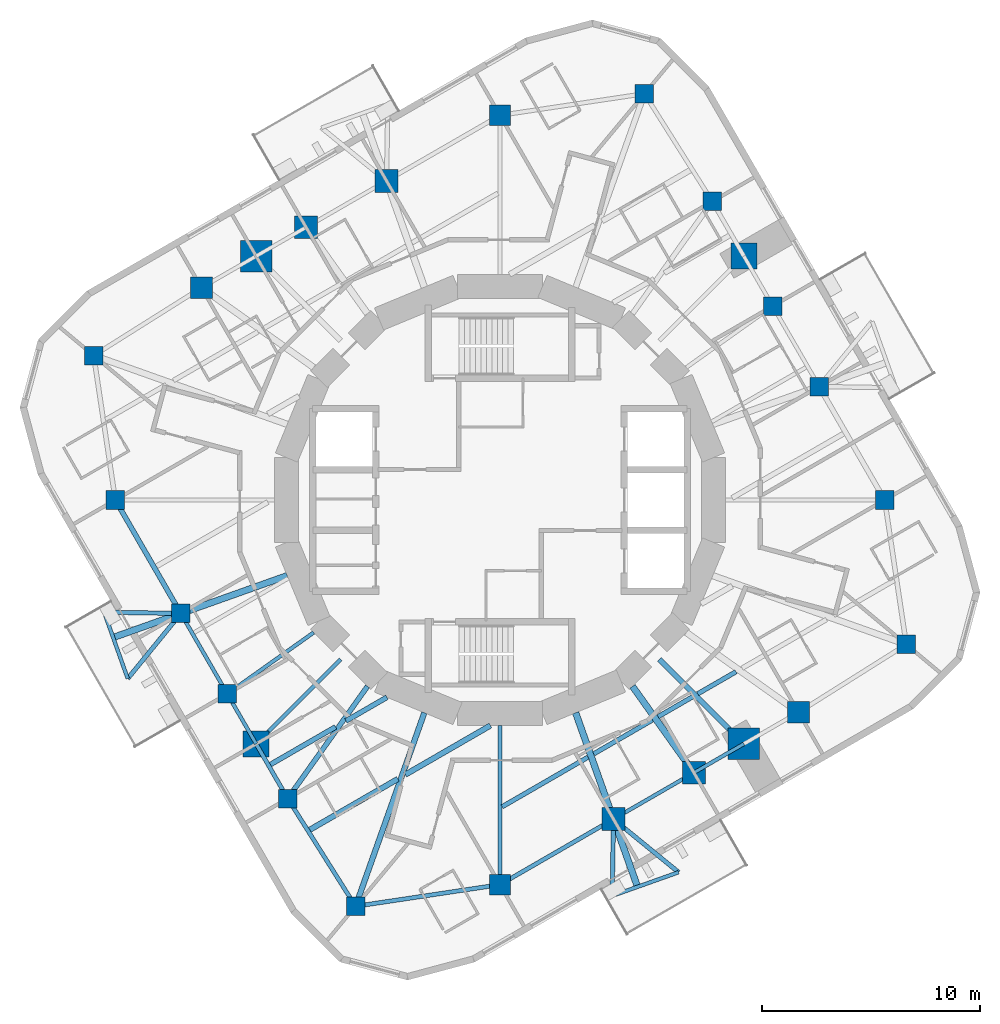
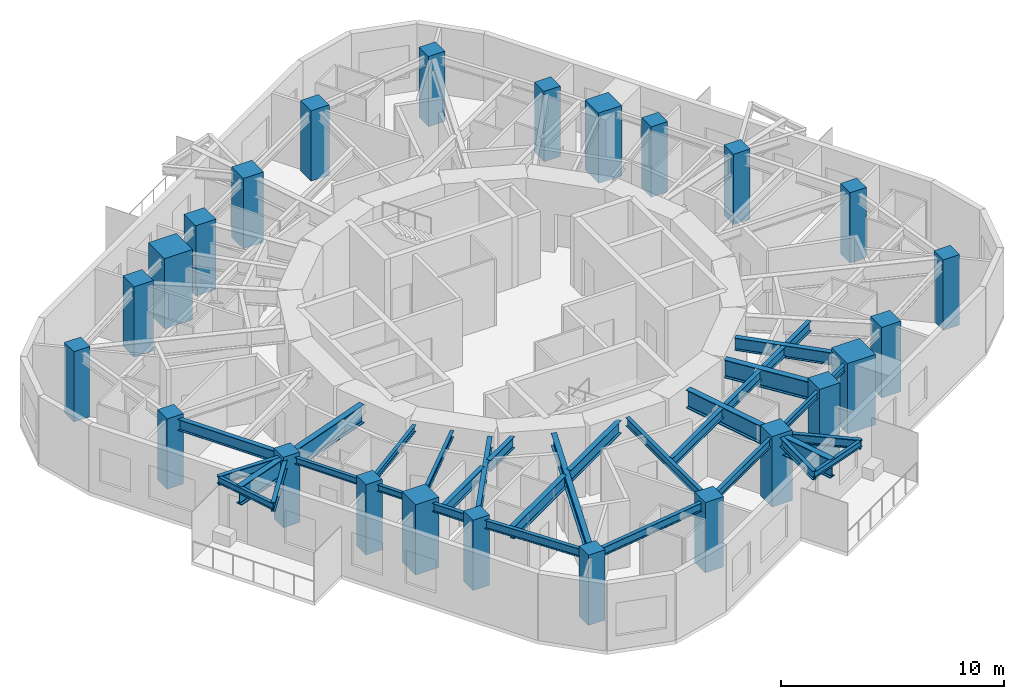
# One storey, part 1 of 11: 32 beams, 24 columns.
"""IFC4 building model written with IfcOpenShell, lengths in metres."""

import ifcopenshell
import ifcopenshell.guid

model = None  # the IFC model being written
_history = None  # IfcOwnerHistory: only IFC2X3 demands one
_inside = {}  # id of a spatial element -> (the spatial element, [elements in it])
_under = {}  # id of a project, library or spatial element -> (it, [spatial elements below it])
_declared = {}  # id of a project -> (the project, [libraries it declares])
_typed = {}  # id of a type object -> (the type object, [elements of that type])
_made_of = {}  # id of a material, layer set ... -> (it, [elements and type objects made of it])


def new_model(schema):
    """Start an empty IFC model of exactly this schema.

    Asked for "IFC4X3", IfcOpenShell would pick the latest addendum, in which some entities
    have other attributes; the version numbers below select the first issue.
    IFC2X3 requires an IfcOwnerHistory on every rooted entity: one is made here for all.
    """
    global model, _history
    if schema == "IFC4X3":
        model = ifcopenshell.file(schema_version=(4, 3, 0, 0))
    else:
        model = ifcopenshell.file(schema=schema)
    _inside.clear()
    _under.clear()
    _declared.clear()
    _typed.clear()
    _made_of.clear()
    _history = None
    if model.schema == "IFC2X3":
        org = make("IfcOrganization", Name="unknown")
        user = make(
            "IfcPersonAndOrganization",
            ThePerson=make("IfcPerson", FamilyName="unknown"),
            TheOrganization=org,
        )
        app = make(
            "IfcApplication",
            ApplicationDeveloper=org,
            Version="unknown",
            ApplicationFullName="unknown",
            ApplicationIdentifier="unknown",
        )
        _history = make(
            "IfcOwnerHistory",
            OwningUser=user,
            OwningApplication=app,
            ChangeAction="ADDED",
            CreationDate=0,
        )
    return model


def make(cls, **values):
    """One entity of the class cls with the attributes given. An attribute that is None is left unset."""
    return model.create_entity(
        cls, **{name: value for name, value in values.items() if value is not None}
    )


def rooted(cls, **values):
    """An entity with a GlobalId (a new one), such as an element, a storey or a relation."""
    return make(cls, GlobalId=ifcopenshell.guid.new(), OwnerHistory=_history, **values)


def si_unit(unit_type, name, prefix=None):
    """IfcSIUnit, for example si_unit("LENGTHUNIT", "METRE", prefix="MILLI")."""
    return make("IfcSIUnit", UnitType=unit_type, Prefix=prefix, Name=name)


def assignment(units):
    """IfcUnitAssignment: the units of a project."""
    return None if units is None else make("IfcUnitAssignment", Units=units)


def point(xyz):
    """IfcCartesianPoint."""
    return None if xyz is None else make("IfcCartesianPoint", Coordinates=xyz)


def direction(xyz):
    """IfcDirection."""
    return None if xyz is None else make("IfcDirection", DirectionRatios=xyz)


def frame(location, z_axis=None, x_axis=None):
    """IfcAxis2Placement3D, a coordinate frame: its origin and axes. An axis left out is left unset."""
    return make(
        "IfcAxis2Placement3D",
        Location=point(location),
        Axis=direction(z_axis),
        RefDirection=direction(x_axis),
    )


def frame_2d(location, x_axis=None):
    """IfcAxis2Placement2D, a coordinate frame in the plane: its origin and x axis."""
    return make(
        "IfcAxis2Placement2D", Location=point(location), RefDirection=direction(x_axis)
    )


def origin():
    """The frame at (0, 0, 0) with its axes left unset."""
    return frame((0.0, 0.0, 0.0))


def origin_2d():
    """The frame at (0, 0) in the plane with its x axis left unset."""
    return frame_2d((0.0, 0.0))


def place(relative_to, where):
    """IfcLocalPlacement: puts the frame where relative to a parent placement (None: the world)."""
    return make(
        "IfcLocalPlacement", PlacementRelTo=relative_to, RelativePlacement=where
    )


def context(
    kind, dimensions, precision=None, world=None, true_north=None, identifier=None
):
    """IfcGeometricRepresentationContext, for example the 3D "Model" context."""
    return make(
        "IfcGeometricRepresentationContext",
        ContextIdentifier=identifier,
        ContextType=kind,
        CoordinateSpaceDimension=dimensions,
        Precision=precision,
        WorldCoordinateSystem=world,
        TrueNorth=true_north,
    )


def subcontext(parent, identifier, kind, view, scale=None):
    """IfcGeometricRepresentationSubContext, for example "Body" below "Model"."""
    return make(
        "IfcGeometricRepresentationSubContext",
        ContextIdentifier=identifier,
        ContextType=kind,
        ParentContext=parent,
        TargetScale=scale,
        TargetView=view,
    )


def project(units=None, contexts=None):
    """IfcProject with its units and contexts."""
    return rooted(
        "IfcProject",
        Name="project",
        RepresentationContexts=contexts,
        UnitsInContext=assignment(units),
    )


def spatial(cls, under=None, at=None, **own):
    """A site, building, storey or space (cls), placed at a placement, below another one or the project."""
    s = rooted(cls, ObjectPlacement=at, **own)
    if under is not None:
        _under.setdefault(under.id(), (under, []))[1].append(s)
    return s


def profile(cls, at=None, kind="AREA", **sizes):
    """A parametric profile (cls). Its sizes go by their IFC names, for example OverallWidth=200.0."""
    return make(cls, ProfileType=kind, Position=at, **sizes)


def rectangle(**sizes):
    """IfcRectangleProfileDef."""
    return profile("IfcRectangleProfileDef", **sizes)


def i_section(**sizes):
    """IfcIShapeProfileDef."""
    return profile("IfcIShapeProfileDef", **sizes)


def extrude(swept, where, along, depth):
    """IfcExtrudedAreaSolid: the profile swept, set in the frame where, extruded along a direction by depth."""
    return make(
        "IfcExtrudedAreaSolid",
        SweptArea=swept,
        Position=where,
        ExtrudedDirection=direction(along),
        Depth=depth,
    )


def shape(context_of_items, identifier, shape_type, items):
    """IfcShapeRepresentation: the items that make up one representation, for example the "Body"."""
    return make(
        "IfcShapeRepresentation",
        ContextOfItems=context_of_items,
        RepresentationIdentifier=identifier,
        RepresentationType=shape_type,
        Items=items,
    )


def material(Name=None, Category=None):
    """IfcMaterial."""
    return make("IfcMaterial", Name=Name, Category=Category)


def material_profile(
    of_material, cross_section, Name=None, Category=None, Priority=None
):
    """IfcMaterialProfile: a cross section and its material."""
    return make(
        "IfcMaterialProfile",
        Name=Name,
        Material=of_material,
        Profile=cross_section,
        Priority=Priority,
        Category=Category,
    )


def profile_set(profiles, Name=None, composite=None):
    """IfcMaterialProfileSet."""
    return make(
        "IfcMaterialProfileSet",
        Name=Name,
        MaterialProfiles=profiles,
        CompositeProfile=composite,
    )


def made_of(thing, what):
    """Note that an element or type object is made of a material, layer set ...; save() writes the relation."""
    if what is not None:
        _made_of.setdefault(what.id(), (what, []))[1].append(thing)
    return thing


def type_object(cls, material=None, **own):
    """A type object (cls), such as IfcWallType, which elements share."""
    return made_of(rooted(cls, **own), material)


def element(
    cls,
    number,
    at=None,
    inside=None,
    cuts=None,
    type_object=None,
    material=None,
    context=None,
    identifier="Body",
    shape_type=None,
    held_by="IfcProductDefinitionShape",
    body=None,
    shapes=None,
    **own,
):
    """One element of the class cls, such as IfcWall. Its Tag is "e" and its number.

    at: its placement. inside: the storey or other place that contains it. cuts: it is an
    opening in that element (IfcRelVoidsElement). A single representation is given by context,
    identifier, shape_type and body (its items); several are given by shapes. held_by: the class
    of the entity that holds the representations. save() writes the other relations.
    """
    e = rooted(cls, Tag="e%d" % number, ObjectPlacement=at, **own)
    if body is not None:
        shapes = [shape(context, identifier, shape_type, body)]
    if shapes is not None:
        e.Representation = make(held_by, Representations=shapes)
    if inside is not None:
        _inside.setdefault(inside.id(), (inside, []))[1].append(e)
    if cuts is not None:
        rooted(
            "IfcRelVoidsElement", RelatingBuildingElement=cuts, RelatedOpeningElement=e
        )
    if type_object is not None:
        _typed.setdefault(type_object.id(), (type_object, []))[1].append(e)
    return made_of(e, material)


def aggregate(whole, parts):
    """IfcRelAggregates: a whole, such as a stair, and the parts it consists of."""
    return rooted("IfcRelAggregates", RelatingObject=whole, RelatedObjects=parts)


def save(model, path):
    """Write the relations noted so far, then the file.

    IfcRelAggregates (storeys below a building ...), IfcRelContainedInSpatialStructure (elements
    in a storey), IfcRelDefinesByType, IfcRelAssociatesMaterial and IfcRelDeclares: one each for
    every whole, place, type object, material and project.
    """
    for whole, parts in _under.values():
        aggregate(whole, parts)
    for where, things in _inside.values():
        rooted(
            "IfcRelContainedInSpatialStructure",
            RelatedElements=things,
            RelatingStructure=where,
        )
    for kind, things in _typed.values():
        rooted("IfcRelDefinesByType", RelatedObjects=things, RelatingType=kind)
    for what, things in _made_of.values():
        rooted("IfcRelAssociatesMaterial", RelatedObjects=things, RelatingMaterial=what)
    for by, libraries in _declared.values():
        rooted("IfcRelDeclares", RelatingContext=by, RelatedDefinitions=libraries)
    model.write(path)


model = new_model("IFC4")

# Units and contexts
model_context = context("Model", 3, precision=1e-05, world=origin(), true_north=direction((0.0, 1.0)))
body_context = subcontext(model_context, "Body", "Model", "MODEL_VIEW")
ifc_project = project(units=[si_unit("LENGTHUNIT", "METRE"), si_unit("AREAUNIT", "SQUARE_METRE"), si_unit("VOLUMEUNIT", "CUBIC_METRE"), si_unit("PLANEANGLEUNIT", "RADIAN"), si_unit("MASSUNIT", "GRAM", prefix="KILO")], contexts=[model_context])

# Site, building, storey
site_placement = place(None, origin())
site = spatial("IfcSite", under=ifc_project, at=site_placement, CompositionType="ELEMENT")
building_placement = place(site_placement, origin())
building = spatial("IfcBuilding", under=site, at=building_placement, Name="Nakasero Lantern House", CompositionType="ELEMENT")
storey_placement = place(building_placement, frame((0.0, 0.0, 238.5)))
storey = spatial("IfcBuildingStorey", under=building, at=storey_placement, Name="L58", CompositionType="ELEMENT", Elevation=238.5)

# Columns
ifc_material_1 = material(Name="Concrete C45/55", Category="concrete")
ifc_material_profile_1 = material_profile(ifc_material_1, rectangle(XDim=1.199951171875, YDim=1.199951171875, at=origin_2d()), Name="RC 1200x1200")
ifc_profile_set_1 = profile_set([ifc_material_profile_1], Name="Concrete C45/55")
column_type_1 = type_object("IfcColumnType", Name="Mega column RC 1200x1200 C45/55", PredefinedType="COLUMN", material=ifc_profile_set_1)
for number, where, z_axis, x_axis, name in (
    (1, (11.200439453125, 11.200439453125, 0.0), (0.0, 0.0, 1.0), (1.0, 0.0, 0.0), "Column B6-C06 L58"),
    (2, (-11.200439453125, -11.200439453125, 0.0), (0.0, 0.0, 1.0), (1.0, 0.0, 0.0), "Column B6-C18 L58"),
):
    element("IfcColumn", number, at=place(storey_placement, frame(where, z_axis=z_axis, x_axis=x_axis)), inside=storey, type_object=column_type_1, Name=name, PredefinedType="COLUMN", context=body_context, shape_type="SweptSolid", body=[
        extrude(rectangle(XDim=1.199951171875, YDim=1.199951171875, at=origin_2d()), origin(), (0.0, 0.0, 1.0), 3.85009765625),
    ])
ifc_material_2 = material(Name="Concrete C45/55", Category="concrete")
ifc_material_profile_2 = material_profile(ifc_material_2, rectangle(XDim=1.449951171875, YDim=1.449951171875, at=origin_2d()), Name="RC 1450x1450")
ifc_profile_set_2 = profile_set([ifc_material_profile_2], Name="Concrete C45/55")
column_type_2 = type_object("IfcColumnType", Name="Mega column RC 1450x1450 C45/55", PredefinedType="COLUMN", material=ifc_profile_set_2)
for number, where, z_axis, x_axis, name in (
    (3, (-11.200439453125, 11.200439453125, 0.0), (0.0, 0.0, 1.0), (1.0, 0.0, 0.0), "Column B6-C12 L58"),
    (4, (11.200439453125, -11.200439453125, 0.0), (0.0, 0.0, 1.0), (1.0, 0.0, 0.0), "Column B6-C24 L58"),
):
    element("IfcColumn", number, at=place(storey_placement, frame(where, z_axis=z_axis, x_axis=x_axis)), inside=storey, type_object=column_type_2, Name=name, PredefinedType="COLUMN", context=body_context, shape_type="SweptSolid", body=[
        extrude(rectangle(XDim=1.449951171875, YDim=1.449951171875, at=origin_2d()), origin(), (0.0, 0.0, 1.0), 3.85009765625),
    ])
ifc_material_3 = material(Name="Concrete C45/55", Category="concrete")
ifc_material_profile_3 = material_profile(ifc_material_3, rectangle(XDim=1.0, YDim=1.0, at=origin_2d()), Name="RC 1000x1000")
ifc_profile_set_3 = profile_set([ifc_material_profile_3], Name="Concrete C45/55")
column_type_3 = type_object("IfcColumnType", Name="Ring column RC 1000x1000 C45/55", PredefinedType="COLUMN", material=ifc_profile_set_3)
for number, where, z_axis, x_axis, name in (
    (5, (13.711669921875, -9.75048828125, 0.0), (0.0, 0.0, 1.0), (1.0, 0.0, 0.0), "Column B6-C01 L58"),
    (6, (-13.711669921875, 9.75048828125, 0.0), (0.0, 0.0, 1.0), (1.0, 0.0, 0.0), "Column B6-C13 L58"),
):
    element("IfcColumn", number, at=place(storey_placement, frame(where, z_axis=z_axis, x_axis=x_axis)), inside=storey, type_object=column_type_3, Name=name, PredefinedType="COLUMN", context=body_context, shape_type="SweptSolid", body=[
        extrude(rectangle(XDim=1.0, YDim=1.0, at=origin_2d()), origin(), (0.0, 0.0, 1.0), 3.85009765625),
    ])
ifc_material_4 = material(Name="Concrete C45/55", Category="concrete")
ifc_material_profile_4 = material_profile(ifc_material_4, rectangle(XDim=1.050048828125, YDim=1.050048828125, at=origin_2d()), Name="RC 1050x1050")
ifc_profile_set_4 = profile_set([ifc_material_profile_4], Name="Concrete C45/55")
column_type_4 = type_object("IfcColumnType", Name="Ring column RC 1050x1050 C45/55", PredefinedType="COLUMN", material=ifc_profile_set_4)
for number, where, z_axis, x_axis, name in (
    (7, (-5.211669921875, 14.657958984375, 0.0), (0.0, 0.0, 1.0), (1.0, 0.0, 0.0), "Column B6-C10 L58"),
    (8, (-8.906494140625, 12.524658203125, 0.0), (0.0, 0.0, 1.0), (1.0, 0.0, 0.0), "Column B6-C11 L58"),
    (9, (5.211669921875, -14.657958984375, 0.0), (0.0, 0.0, 1.0), (1.0, 0.0, 0.0), "Column B6-C22 L58"),
    (10, (8.906494140625, -12.524658203125, 0.0), (0.0, 0.0, 1.0), (1.0, 0.0, 0.0), "Column B6-C23 L58"),
):
    element("IfcColumn", number, at=place(storey_placement, frame(where, z_axis=z_axis, x_axis=x_axis)), inside=storey, type_object=column_type_4, Name=name, PredefinedType="COLUMN", context=body_context, shape_type="SweptSolid", body=[
        extrude(rectangle(XDim=1.050048828125, YDim=1.050048828125, at=origin_2d()), origin(), (0.0, 0.0, 1.0), 3.85009765625),
    ])
ifc_material_5 = material(Name="Concrete C45/55", Category="concrete")
ifc_material_profile_5 = material_profile(ifc_material_5, rectangle(XDim=0.85009765625, YDim=0.85009765625, at=origin_2d()), Name="RC 850x850")
ifc_profile_set_5 = profile_set([ifc_material_profile_5], Name="Concrete C45/55")
column_type_5 = type_object("IfcColumnType", Name="Ring column RC 850x850 C45/55", PredefinedType="COLUMN", material=ifc_profile_set_5)
for number, where, z_axis, x_axis, name in (
    (11, (18.661376953125, -6.63525390625, 0.0), (0.0, 0.0, 1.0), (1.0, 0.0, 0.0), "Column B6-C02 L58"),
    (12, (17.6669921875, 0.0, 0.0), (0.0, 0.0, 1.0), (1.0, 0.0, 0.0), "Column B6-C03 L58"),
    (13, (14.657958984375, 5.211669921875, 0.0), (0.0, 0.0, 1.0), (1.0, 0.0, 0.0), "Column B6-C04 L58"),
    (14, (12.524658203125, 8.906494140625, 0.0), (0.0, 0.0, 1.0), (1.0, 0.0, 0.0), "Column B6-C05 L58"),
    (15, (9.75048828125, 13.711669921875, 0.0), (0.0, 0.0, 1.0), (1.0, 0.0, 0.0), "Column B6-C07 L58"),
    (16, (6.63525390625, 18.661376953125, 0.0), (0.0, 0.0, 1.0), (1.0, 0.0, 0.0), "Column B6-C08 L58"),
    (17, (-18.661376953125, 6.63525390625, 0.0), (0.0, 0.0, 1.0), (1.0, 0.0, 0.0), "Column B6-C14 L58"),
    (18, (-17.6669921875, 0.0, 0.0), (0.0, 0.0, 1.0), (1.0, 0.0, 0.0), "Column B6-C15 L58"),
    (19, (-14.657958984375, -5.211669921875, 0.0), (0.0, 0.0, 1.0), (1.0, 0.0, 0.0), "Column B6-C16 L58"),
    (20, (-12.524658203125, -8.906494140625, 0.0), (0.0, 0.0, 1.0), (1.0, 0.0, 0.0), "Column B6-C17 L58"),
    (21, (-9.75048828125, -13.711669921875, 0.0), (0.0, 0.0, 1.0), (1.0, 0.0, 0.0), "Column B6-C19 L58"),
    (22, (-6.63525390625, -18.661376953125, 0.0), (0.0, 0.0, 1.0), (1.0, 0.0, 0.0), "Column B6-C20 L58"),
):
    element("IfcColumn", number, at=place(storey_placement, frame(where, z_axis=z_axis, x_axis=x_axis)), inside=storey, type_object=column_type_5, Name=name, PredefinedType="COLUMN", context=body_context, shape_type="SweptSolid", body=[
        extrude(rectangle(XDim=0.85009765625, YDim=0.85009765625, at=origin_2d()), origin(), (0.0, 0.0, 1.0), 3.85009765625),
    ])
ifc_material_6 = material(Name="Concrete C45/55", Category="concrete")
ifc_material_profile_6 = material_profile(ifc_material_6, rectangle(XDim=0.949951171875, YDim=0.949951171875, at=origin_2d()), Name="RC 950x950")
ifc_profile_set_6 = profile_set([ifc_material_profile_6], Name="Concrete C45/55")
column_type_6 = type_object("IfcColumnType", Name="Ring column RC 950x950 C45/55", PredefinedType="COLUMN", material=ifc_profile_set_6)
for number, where, z_axis, x_axis, name in (
    (23, (0.0, 17.6669921875, 0.0), (0.0, 0.0, 1.0), (1.0, 0.0, 0.0), "Column B6-C09 L58"),
    (24, (0.0, -17.6669921875, 0.0), (0.0, 0.0, 1.0), (1.0, 0.0, 0.0), "Column B6-C21 L58"),
):
    element("IfcColumn", number, at=place(storey_placement, frame(where, z_axis=z_axis, x_axis=x_axis)), inside=storey, type_object=column_type_6, Name=name, PredefinedType="COLUMN", context=body_context, shape_type="SweptSolid", body=[
        extrude(rectangle(XDim=0.949951171875, YDim=0.949951171875, at=origin_2d()), origin(), (0.0, 0.0, 1.0), 3.85009765625),
    ])

# Beams
ifc_material_7 = material(Name="Steel S355", Category="steel")
ifc_material_profile_7 = material_profile(ifc_material_7, i_section(OverallWidth=0.199462890625, OverallDepth=0.491943359375, WebThickness=0.01806640625, FlangeThickness=0.031982421875, FilletRadius=0.01025390625, at=origin_2d()), Name="UB 457x191x161")
ifc_profile_set_7 = profile_set([ifc_material_profile_7], Name="Steel S355")
beam_type_1 = type_object("IfcBeamType", Name="Balcony splay beam UB 457x191x161", PredefinedType="BEAM", material=ifc_profile_set_7)
beam_1_placement = place(storey_placement, frame((-14.657958984375, -5.211669921875, 3.404052734375), z_axis=(-0.632127727159, -0.774864205236, 0.0), x_axis=(0.774864205236, -0.632127727159, 0.0)))
element("IfcBeam", 25, at=beam_1_placement, inside=storey, type_object=beam_type_1, Name="Balcony splay beam L59 B6-C16A", PredefinedType="BEAM", context=body_context, shape_type="SweptSolid", body=[
    extrude(i_section(OverallWidth=0.199462890625, OverallDepth=0.491943359375, WebThickness=0.01806640625, FlangeThickness=0.031982421875, FilletRadius=0.01025390625, at=origin_2d()), origin(), (0.0, 0.0, 1.0), 3.858642578125),
])
beam_2_placement = place(storey_placement, frame((-14.657958984375, -5.211669921875, 3.404052734375), z_axis=(-0.99985827803, 0.016835196893, 0.0), x_axis=(-0.016835196893, -0.99985827803, 0.0)))
element("IfcBeam", 26, at=beam_2_placement, inside=storey, type_object=beam_type_1, Name="Balcony splay beam L59 B6-C16B", PredefinedType="BEAM", context=body_context, shape_type="SweptSolid", body=[
    extrude(i_section(OverallWidth=0.199462890625, OverallDepth=0.491943359375, WebThickness=0.01806640625, FlangeThickness=0.031982421875, FilletRadius=0.01025390625, at=origin_2d()), origin(), (0.0, 0.0, 1.0), 3.52392578125),
])
beam_3_placement = place(storey_placement, frame((5.211669921875, -14.657958984375, 3.404052734375), z_axis=(0.774864205236, -0.632127727159, 0.0), x_axis=(0.632127727159, 0.774864205236, 0.0)))
element("IfcBeam", 27, at=beam_3_placement, inside=storey, type_object=beam_type_1, Name="Balcony splay beam L59 B6-C22A", PredefinedType="BEAM", context=body_context, shape_type="SweptSolid", body=[
    extrude(i_section(OverallWidth=0.199462890625, OverallDepth=0.491943359375, WebThickness=0.01806640625, FlangeThickness=0.031982421875, FilletRadius=0.01025390625, at=origin_2d()), origin(), (0.0, 0.0, 1.0), 3.858642578125),
])
beam_4_placement = place(storey_placement, frame((5.211669921875, -14.657958984375, 3.404052734375), z_axis=(-0.016835196893, -0.99985827803, 0.0), x_axis=(0.99985827803, -0.016835196893, 0.0)))
element("IfcBeam", 28, at=beam_4_placement, inside=storey, type_object=beam_type_1, Name="Balcony splay beam L59 B6-C22B", PredefinedType="BEAM", context=body_context, shape_type="SweptSolid", body=[
    extrude(i_section(OverallWidth=0.199462890625, OverallDepth=0.491943359375, WebThickness=0.01806640625, FlangeThickness=0.031982421875, FilletRadius=0.01025390625, at=origin_2d()), origin(), (0.0, 0.0, 1.0), 3.52392578125),
])
ifc_material_8 = material(Name="Steel S355", Category="steel")
ifc_material_profile_8 = material_profile(ifc_material_8, i_section(OverallWidth=0.17138671875, OverallDepth=0.35498046875, WebThickness=0.00732421875, FlangeThickness=0.011474609375, FilletRadius=0.01025390625, at=origin_2d()), Name="UB 356x171x51")
ifc_profile_set_8 = profile_set([ifc_material_profile_8], Name="Steel S355")
beam_type_2 = type_object("IfcBeamType", Name="Balcony tie beam UB 356x171x51", PredefinedType="BEAM", material=ifc_profile_set_8)
for number, where, z_axis, x_axis, name in (
    (29, (-17.09716796875, -8.20166015625, 3.472412109375), (-0.335017108852, 0.942212044487, 0.0), (-0.942212044487, -0.335017108852, 0.0), "Balcony tie beam L59 B6-C16"),
    (30, (8.20166015625, -17.09716796875, 3.472412109375), (-0.942212044487, -0.335017108852, 0.0), (0.335017108852, -0.942212044487, 0.0), "Balcony tie beam L59 B6-C22"),
):
    element("IfcBeam", number, at=place(storey_placement, frame(where, z_axis=z_axis, x_axis=x_axis)), inside=storey, type_object=beam_type_2, Name=name, PredefinedType="BEAM", context=body_context, shape_type="SweptSolid", body=[
        extrude(i_section(OverallWidth=0.17138671875, OverallDepth=0.35498046875, WebThickness=0.00732421875, FlangeThickness=0.011474609375, FilletRadius=0.01025390625, at=origin_2d()), origin(), (0.0, 0.0, 1.0), 3.236328125),
    ])
ifc_material_9 = material(Name="Steel S355", Category="steel")
ifc_material_profile_9 = material_profile(ifc_material_9, i_section(OverallWidth=0.2099609375, OverallDepth=0.53662109375, WebThickness=0.0107421875, FlangeThickness=0.017333984375, FilletRadius=0.0126953125, at=origin_2d()), Name="UB 533x210x101")
ifc_profile_set_9 = profile_set([ifc_material_profile_9], Name="Steel S355")
beam_type_3 = type_object("IfcBeamType", Name="Infill beam UB 533x210x101", PredefinedType="JOIST", material=ifc_profile_set_9)
beam_5_placement = place(storey_placement, frame((0.095703125, -14.08984375, 3.381591796875), z_axis=(0.866027576455, 0.499996236806, 0.0), x_axis=(-0.499996236806, 0.866027576455, 0.0)))
element("IfcBeam", 31, at=beam_5_placement, inside=storey, type_object=beam_type_3, Name="Infill beam L59 03.1", PredefinedType="JOIST", context=body_context, shape_type="SweptSolid", body=[
    extrude(i_section(OverallWidth=0.2099609375, OverallDepth=0.53662109375, WebThickness=0.0107421875, FlangeThickness=0.017333984375, FilletRadius=0.0126953125, at=origin_2d()), origin(), (0.0, 0.0, 1.0), 4.55419921875),
])
beam_6_placement = place(storey_placement, frame((4.3056640625, -11.6591796875, 3.381591796875), z_axis=(0.866018346476, 0.500012223418, 0.0), x_axis=(-0.500012223418, 0.866018346476, 0.0)))
element("IfcBeam", 32, at=beam_6_placement, inside=storey, type_object=beam_type_3, Name="Infill beam L59 03.2", PredefinedType="JOIST", context=body_context, shape_type="SweptSolid", body=[
    extrude(i_section(OverallWidth=0.2099609375, OverallDepth=0.53662109375, WebThickness=0.0107421875, FlangeThickness=0.017333984375, FilletRadius=0.0126953125, at=origin_2d()), origin(), (0.0, 0.0, 1.0), 3.11181640625),
])
beam_7_placement = place(storey_placement, frame((7.261474609375, -9.95263671875, 3.381591796875), z_axis=(0.866028611999, 0.499994443168, 0.0), x_axis=(-0.499994443168, 0.866028611999, 0.0)))
element("IfcBeam", 33, at=beam_7_placement, inside=storey, type_object=beam_type_3, Name="Infill beam L59 03.3", PredefinedType="JOIST", context=body_context, shape_type="SweptSolid", body=[
    extrude(i_section(OverallWidth=0.2099609375, OverallDepth=0.53662109375, WebThickness=0.0107421875, FlangeThickness=0.017333984375, FilletRadius=0.0126953125, at=origin_2d()), origin(), (0.0, 0.0, 1.0), 1.8388671875),
])
beam_8_placement = place(storey_placement, frame((9.081298828125, -8.90185546875, 3.381591796875), z_axis=(0.866073420066, 0.499916824138, 0.0), x_axis=(-0.499916824138, 0.866073420066, 0.0)))
element("IfcBeam", 34, at=beam_8_placement, inside=storey, type_object=beam_type_3, Name="Infill beam L59 03.4", PredefinedType="JOIST", context=body_context, shape_type="SweptSolid", body=[
    extrude(i_section(OverallWidth=0.2099609375, OverallDepth=0.53662109375, WebThickness=0.0107421875, FlangeThickness=0.017333984375, FilletRadius=0.0126953125, at=origin_2d()), origin(), (0.0, 0.0, 1.0), 2.029541015625),
])
ifc_material_10 = material(Name="Steel S355", Category="steel")
ifc_material_profile_10 = material_profile(ifc_material_10, i_section(OverallWidth=0.22900390625, OverallDepth=0.6123046875, WebThickness=0.011962890625, FlangeThickness=0.01953125, FilletRadius=0.0126953125, at=origin_2d()), Name="UB 610x229x125")
ifc_profile_set_10 = profile_set([ifc_material_profile_10], Name="Steel S355")
beam_type_4 = type_object("IfcBeamType", Name="Infill beam UB 610x229x125", PredefinedType="JOIST", material=ifc_profile_set_10)
beam_9_placement = place(storey_placement, frame((-10.542236328125, -12.14892578125, 3.343994140625), z_axis=(0.866006607564, 0.500032554596, 0.0), x_axis=(-0.500032554596, 0.866006607564, 0.0)))
element("IfcBeam", 35, at=beam_9_placement, inside=storey, type_object=beam_type_4, Name="Infill beam L59 05.1", PredefinedType="JOIST", context=body_context, shape_type="SweptSolid", body=[
    extrude(i_section(OverallWidth=0.22900390625, OverallDepth=0.6123046875, WebThickness=0.011962890625, FlangeThickness=0.01953125, FilletRadius=0.0126953125, at=origin_2d()), origin(), (0.0, 0.0, 1.0), 3.452880859375),
])
beam_10_placement = place(storey_placement, frame((-7.0751953125, -10.14697265625, 3.343994140625), z_axis=(0.866043427695, 0.499968780372, 0.0), x_axis=(-0.499968780372, 0.866043427695, 0.0)))
element("IfcBeam", 36, at=beam_10_placement, inside=storey, type_object=beam_type_4, Name="Infill beam L59 05.2", PredefinedType="JOIST", context=body_context, shape_type="SweptSolid", body=[
    extrude(i_section(OverallWidth=0.22900390625, OverallDepth=0.6123046875, WebThickness=0.011962890625, FlangeThickness=0.01953125, FilletRadius=0.0126953125, at=origin_2d()), origin(), (0.0, 0.0, 1.0), 2.173583984375),
])
ifc_material_11 = material(Name="Steel S355", Category="steel")
ifc_material_profile_11 = material_profile(ifc_material_11, i_section(OverallWidth=0.253662109375, OverallDepth=0.68359375, WebThickness=0.012451171875, FlangeThickness=0.01904296875, FilletRadius=0.01513671875, at=origin_2d()), Name="UB 686x254x140")
ifc_profile_set_11 = profile_set([ifc_material_profile_11], Name="Steel S355")
beam_type_5 = type_object("IfcBeamType", Name="Infill beam UB 686x254x140", PredefinedType="JOIST", material=ifc_profile_set_11)
beam_11_placement = place(storey_placement, frame((-8.735107421875, -15.146728515625, 3.308349609375), z_axis=(0.866030607649, 0.499990986534, 0.0), x_axis=(-0.499990986534, 0.866030607649, 0.0)))
element("IfcBeam", 37, at=beam_11_placement, inside=storey, type_object=beam_type_5, Name="Infill beam L59 04.1", PredefinedType="JOIST", context=body_context, shape_type="SweptSolid", body=[
    extrude(i_section(OverallWidth=0.253662109375, OverallDepth=0.68359375, WebThickness=0.012451171875, FlangeThickness=0.01904296875, FilletRadius=0.01513671875, at=origin_2d()), origin(), (0.0, 0.0, 1.0), 4.66943359375),
])
beam_12_placement = place(storey_placement, frame((-4.349609375, -12.61474609375, 3.308349609375), z_axis=(0.86603787505, 0.499978398512, 0.0), x_axis=(-0.499978398512, 0.86603787505, 0.0)))
element("IfcBeam", 38, at=beam_12_placement, inside=storey, type_object=beam_type_5, Name="Infill beam L59 04.2", PredefinedType="JOIST", context=body_context, shape_type="SweptSolid", body=[
    extrude(i_section(OverallWidth=0.253662109375, OverallDepth=0.68359375, WebThickness=0.012451171875, FlangeThickness=0.01904296875, FilletRadius=0.01513671875, at=origin_2d()), origin(), (0.0, 0.0, 1.0), 4.513916015625),
])
ifc_material_12 = material(Name="Steel S355", Category="steel")
ifc_material_profile_12 = material_profile(ifc_material_12, i_section(OverallWidth=0.300048828125, OverallDepth=0.989990234375, WebThickness=0.0166015625, FlangeThickness=0.031005859375, FilletRadius=0.030029296875, at=origin_2d()), Name="UB 1016x305x272")
ifc_profile_set_12 = profile_set([ifc_material_profile_12], Name="Steel S355")
beam_type_6 = type_object("IfcBeamType", Name="Primary beam UB 1016x305x272, span to 6 m", PredefinedType="BEAM", material=ifc_profile_set_12)
beam_13_placement = place(storey_placement, frame((8.906494140625, -12.524658203125, 3.155029296875), z_axis=(-0.579513415446, 0.814962699342, 0.0), x_axis=(-0.814962699342, -0.579513415446, 0.0)))
element("IfcBeam", 39, at=beam_13_placement, inside=storey, type_object=beam_type_6, Name="Primary beam L59 B6-C23", PredefinedType="BEAM", context=body_context, shape_type="SweptSolid", body=[
    extrude(i_section(OverallWidth=0.300048828125, OverallDepth=0.989990234375, WebThickness=0.0166015625, FlangeThickness=0.031005859375, FilletRadius=0.030029296875, at=origin_2d()), origin(), (0.0, 0.0, 1.0), 4.8642578125),
])
ifc_material_13 = material(Name="Steel S355", Category="steel")
ifc_material_profile_13 = material_profile(ifc_material_13, i_section(OverallWidth=0.302001953125, OverallDepth=1.008056640625, WebThickness=0.02099609375, FlangeThickness=0.0400390625, FilletRadius=0.030029296875, at=origin_2d()), Name="UB 1016x305x349")
ifc_profile_set_13 = profile_set([ifc_material_profile_13], Name="Steel S355")
beam_type_7 = type_object("IfcBeamType", Name="Primary beam UB 1016x305x349, span to 6 m", PredefinedType="BEAM", material=ifc_profile_set_13)
for number, where, z_axis, x_axis, name in (
    (40, (-17.767333984375, -6.317138671875, 3.14599609375), (0.94222457875, 0.33498185503, 0.0), (-0.33498185503, 0.94222457875, 0.0), "Primary beam L59 B6-C16"),
    (41, (6.317138671875, -17.767333984375, 3.14599609375), (-0.33498185503, 0.94222457875, 0.0), (-0.94222457875, -0.33498185503, 0.0), "Primary beam L59 B6-C22"),
):
    element("IfcBeam", number, at=place(storey_placement, frame(where, z_axis=z_axis, x_axis=x_axis)), inside=storey, type_object=beam_type_7, Name=name, PredefinedType="BEAM", context=body_context, shape_type="SweptSolid", body=[
        extrude(i_section(OverallWidth=0.302001953125, OverallDepth=1.008056640625, WebThickness=0.02099609375, FlangeThickness=0.0400390625, FilletRadius=0.030029296875, at=origin_2d()), origin(), (0.0, 0.0, 1.0), 8.485595703125),
    ])
ifc_material_14 = material(Name="Steel S355", Category="steel")
ifc_material_profile_14 = material_profile(ifc_material_14, i_section(OverallWidth=0.17138671875, OverallDepth=0.35498046875, WebThickness=0.00732421875, FlangeThickness=0.011474609375, FilletRadius=0.01025390625, at=origin_2d()), Name="UB 356x171x51")
ifc_profile_set_14 = profile_set([ifc_material_profile_14], Name="Steel S355")
beam_type_8 = type_object("IfcBeamType", Name="Primary beam UB 356x171x51, span to 6 m", PredefinedType="BEAM", material=ifc_profile_set_14)
beam_14_placement = place(storey_placement, frame((-12.524658203125, -8.906494140625, 3.472412109375), z_axis=(0.814962699342, 0.579513415446, 0.0), x_axis=(-0.579513415446, 0.814962699342, 0.0)))
element("IfcBeam", 42, at=beam_14_placement, inside=storey, type_object=beam_type_8, Name="Primary beam L59 B6-C17", PredefinedType="BEAM", context=body_context, shape_type="SweptSolid", body=[
    extrude(i_section(OverallWidth=0.17138671875, OverallDepth=0.35498046875, WebThickness=0.00732421875, FlangeThickness=0.011474609375, FilletRadius=0.01025390625, at=origin_2d()), origin(), (0.0, 0.0, 1.0), 4.8642578125),
])
beam_15_placement = place(storey_placement, frame((-11.200439453125, -11.200439453125, 3.472412109375), z_axis=(0.707106781187, 0.707106781187, 0.0), x_axis=(-0.707106781187, 0.707106781187, 0.0)))
element("IfcBeam", 43, at=beam_15_placement, inside=storey, type_object=beam_type_8, Name="Primary beam L59 B6-C18", PredefinedType="BEAM", context=body_context, shape_type="SweptSolid", body=[
    extrude(i_section(OverallWidth=0.17138671875, OverallDepth=0.35498046875, WebThickness=0.00732421875, FlangeThickness=0.011474609375, FilletRadius=0.01025390625, at=origin_2d()), origin(), (0.0, 0.0, 1.0), 5.481689453125),
])
ifc_material_15 = material(Name="Steel S355", Category="steel")
ifc_material_profile_15 = material_profile(ifc_material_15, i_section(OverallWidth=0.19140625, OverallDepth=0.4599609375, WebThickness=0.010009765625, FlangeThickness=0.01611328125, FilletRadius=0.01025390625, at=origin_2d()), Name="UB 457x191x82")
ifc_profile_set_15 = profile_set([ifc_material_profile_15], Name="Steel S355")
beam_type_9 = type_object("IfcBeamType", Name="Primary beam UB 457x191x82, span 6 to 9 m", PredefinedType="BEAM", material=ifc_profile_set_15)
beam_16_placement = place(storey_placement, frame((0.0, -17.6669921875, 3.419921875), z_axis=(0.0, 1.0, 0.0), x_axis=(-1.0, 0.0, 0.0)))
element("IfcBeam", 44, at=beam_16_placement, inside=storey, type_object=beam_type_9, Name="Primary beam L59 B6-C21", PredefinedType="BEAM", context=body_context, shape_type="SweptSolid", body=[
    extrude(i_section(OverallWidth=0.19140625, OverallDepth=0.4599609375, WebThickness=0.010009765625, FlangeThickness=0.01611328125, FilletRadius=0.01025390625, at=origin_2d()), origin(), (0.0, 0.0, 1.0), 7.30908203125),
])
ifc_material_16 = material(Name="Steel S355", Category="steel")
ifc_material_profile_16 = material_profile(ifc_material_16, i_section(OverallWidth=0.22900390625, OverallDepth=0.6123046875, WebThickness=0.011962890625, FlangeThickness=0.01953125, FilletRadius=0.0126953125, at=origin_2d()), Name="UB 610x229x125")
ifc_profile_set_16 = profile_set([ifc_material_profile_16], Name="Steel S355")
beam_type_10 = type_object("IfcBeamType", Name="Primary beam UB 610x229x125, span 6 to 9 m", PredefinedType="BEAM", material=ifc_profile_set_16)
beam_17_placement = place(storey_placement, frame((-9.75048828125, -13.711669921875, 3.343994140625), z_axis=(0.579504973637, 0.814968702178, 0.0), x_axis=(-0.814968702178, 0.579504973637, 0.0)))
element("IfcBeam", 45, at=beam_17_placement, inside=storey, type_object=beam_type_10, Name="Primary beam L59 B6-C19", PredefinedType="BEAM", context=body_context, shape_type="SweptSolid", body=[
    extrude(i_section(OverallWidth=0.22900390625, OverallDepth=0.6123046875, WebThickness=0.011962890625, FlangeThickness=0.01953125, FilletRadius=0.0126953125, at=origin_2d()), origin(), (0.0, 0.0, 1.0), 6.320556640625),
])
ifc_material_17 = material(Name="Steel S355", Category="steel")
ifc_material_profile_17 = material_profile(ifc_material_17, i_section(OverallWidth=0.253662109375, OverallDepth=0.68359375, WebThickness=0.012451171875, FlangeThickness=0.01904296875, FilletRadius=0.01513671875, at=origin_2d()), Name="UB 686x254x140")
ifc_profile_set_17 = profile_set([ifc_material_profile_17], Name="Steel S355")
beam_type_11 = type_object("IfcBeamType", Name="Primary beam UB 686x254x140, span to 6 m", PredefinedType="BEAM", material=ifc_profile_set_17)
beam_18_placement = place(storey_placement, frame((11.200439453125, -11.200439453125, 3.308349609375), z_axis=(-0.707106781187, 0.707106781187, 0.0), x_axis=(-0.707106781187, -0.707106781187, 0.0)))
element("IfcBeam", 46, at=beam_18_placement, inside=storey, type_object=beam_type_11, Name="Primary beam L59 B6-C24", PredefinedType="BEAM", context=body_context, shape_type="SweptSolid", body=[
    extrude(i_section(OverallWidth=0.253662109375, OverallDepth=0.68359375, WebThickness=0.012451171875, FlangeThickness=0.01904296875, FilletRadius=0.01513671875, at=origin_2d()), origin(), (0.0, 0.0, 1.0), 5.481689453125),
])
ifc_material_18 = material(Name="Steel S355", Category="steel")
ifc_material_profile_18 = material_profile(ifc_material_18, i_section(OverallWidth=0.255859375, OverallDepth=0.69287109375, WebThickness=0.014404296875, FlangeThickness=0.023681640625, FilletRadius=0.01513671875, at=origin_2d()), Name="UB 686x254x170")
ifc_profile_set_18 = profile_set([ifc_material_profile_18], Name="Steel S355")
beam_type_12 = type_object("IfcBeamType", Name="Primary beam UB 686x254x170, span 9 to 12 m", PredefinedType="BEAM", material=ifc_profile_set_18)
beam_19_placement = place(storey_placement, frame((-6.63525390625, -18.661376953125, 3.303466796875), z_axis=(0.335006604588, 0.942215779364, 0.0), x_axis=(-0.942215779364, 0.335006604588, 0.0)))
element("IfcBeam", 47, at=beam_19_placement, inside=storey, type_object=beam_type_12, Name="Primary beam L59 B6-C20", PredefinedType="BEAM", context=body_context, shape_type="SweptSolid", body=[
    extrude(i_section(OverallWidth=0.255859375, OverallDepth=0.69287109375, WebThickness=0.014404296875, FlangeThickness=0.023681640625, FilletRadius=0.01513671875, at=origin_2d()), origin(), (0.0, 0.0, 1.0), 9.4345703125),
])
ifc_material_19 = material(Name="Steel S355", Category="steel")
ifc_material_profile_19 = material_profile(ifc_material_19, i_section(OverallWidth=0.17138671875, OverallDepth=0.35498046875, WebThickness=0.00732421875, FlangeThickness=0.011474609375, FilletRadius=0.01025390625, at=origin_2d()), Name="UB 356x171x51")
ifc_profile_set_19 = profile_set([ifc_material_profile_19], Name="Steel S355")
beam_type_13 = type_object("IfcBeamType", Name="Ring beam UB 356x171x51", PredefinedType="BEAM", material=ifc_profile_set_19)
beam_20_placement = place(storey_placement, frame((-14.657958984375, -5.211669921875, 3.472412109375), z_axis=(0.500016352561, -0.866015962423, 0.0), x_axis=(0.866015962423, 0.500016352561, 0.0)))
element("IfcBeam", 48, at=beam_20_placement, inside=storey, type_object=beam_type_13, Name="Ring beam L59 B6-C16", PredefinedType="BEAM", context=body_context, shape_type="SweptSolid", body=[
    extrude(i_section(OverallWidth=0.17138671875, OverallDepth=0.35498046875, WebThickness=0.00732421875, FlangeThickness=0.011474609375, FilletRadius=0.01025390625, at=origin_2d()), origin(), (0.0, 0.0, 1.0), 4.266357421875),
])
beam_21_placement = place(storey_placement, frame((-12.524658203125, -8.906494140625, 3.472412109375), z_axis=(0.499945861543, -0.866056658381, 0.0), x_axis=(0.866056658381, 0.499945861543, 0.0)))
element("IfcBeam", 49, at=beam_21_placement, inside=storey, type_object=beam_type_13, Name="Ring beam L59 B6-C17", PredefinedType="BEAM", context=body_context, shape_type="SweptSolid", body=[
    extrude(i_section(OverallWidth=0.17138671875, OverallDepth=0.35498046875, WebThickness=0.00732421875, FlangeThickness=0.011474609375, FilletRadius=0.01025390625, at=origin_2d()), origin(), (0.0, 0.0, 1.0), 2.648681640625),
])
beam_22_placement = place(storey_placement, frame((5.211669921875, -14.657958984375, 3.472412109375), z_axis=(0.866015962423, 0.500016352561, 0.0), x_axis=(-0.500016352561, 0.866015962423, 0.0)))
element("IfcBeam", 50, at=beam_22_placement, inside=storey, type_object=beam_type_13, Name="Ring beam L59 B6-C22", PredefinedType="BEAM", context=body_context, shape_type="SweptSolid", body=[
    extrude(i_section(OverallWidth=0.17138671875, OverallDepth=0.35498046875, WebThickness=0.00732421875, FlangeThickness=0.011474609375, FilletRadius=0.01025390625, at=origin_2d()), origin(), (0.0, 0.0, 1.0), 4.266357421875),
])
beam_23_placement = place(storey_placement, frame((8.906494140625, -12.524658203125, 3.472412109375), z_axis=(0.866056658381, 0.499945861543, 0.0), x_axis=(-0.499945861543, 0.866056658381, 0.0)))
element("IfcBeam", 51, at=beam_23_placement, inside=storey, type_object=beam_type_13, Name="Ring beam L59 B6-C23", PredefinedType="BEAM", context=body_context, shape_type="SweptSolid", body=[
    extrude(i_section(OverallWidth=0.17138671875, OverallDepth=0.35498046875, WebThickness=0.00732421875, FlangeThickness=0.011474609375, FilletRadius=0.01025390625, at=origin_2d()), origin(), (0.0, 0.0, 1.0), 2.648681640625),
])
ifc_material_20 = material(Name="Steel S355", Category="steel")
ifc_material_profile_20 = material_profile(ifc_material_20, i_section(OverallWidth=0.18994140625, OverallDepth=0.453369140625, WebThickness=0.008544921875, FlangeThickness=0.0126953125, FilletRadius=0.01025390625, at=origin_2d()), Name="UB 457x191x67")
ifc_profile_set_20 = profile_set([ifc_material_profile_20], Name="Steel S355")
beam_type_14 = type_object("IfcBeamType", Name="Ring beam UB 457x191x67", PredefinedType="BEAM", material=ifc_profile_set_20)
beam_24_placement = place(storey_placement, frame((-9.75048828125, -13.711669921875, 3.42333984375), z_axis=(0.532660471024, -0.846329027393, 0.0), x_axis=(0.846329027393, 0.532660471024, 0.0)))
element("IfcBeam", 52, at=beam_24_placement, inside=storey, type_object=beam_type_14, Name="Ring beam L59 B6-C19", PredefinedType="BEAM", context=body_context, shape_type="SweptSolid", body=[
    extrude(i_section(OverallWidth=0.18994140625, OverallDepth=0.453369140625, WebThickness=0.008544921875, FlangeThickness=0.0126953125, FilletRadius=0.01025390625, at=origin_2d()), origin(), (0.0, 0.0, 1.0), 5.848388671875),
])
beam_25_placement = place(storey_placement, frame((0.0, -17.6669921875, 3.42333984375), z_axis=(0.866020066889, 0.50000924366, 0.0), x_axis=(-0.50000924366, 0.866020066889, 0.0)))
element("IfcBeam", 53, at=beam_25_placement, inside=storey, type_object=beam_type_14, Name="Ring beam L59 B6-C21", PredefinedType="BEAM", context=body_context, shape_type="SweptSolid", body=[
    extrude(i_section(OverallWidth=0.18994140625, OverallDepth=0.453369140625, WebThickness=0.008544921875, FlangeThickness=0.0126953125, FilletRadius=0.01025390625, at=origin_2d()), origin(), (0.0, 0.0, 1.0), 6.01806640625),
])
ifc_material_21 = material(Name="Steel S355", Category="steel")
ifc_material_profile_21 = material_profile(ifc_material_21, i_section(OverallWidth=0.19140625, OverallDepth=0.4599609375, WebThickness=0.010009765625, FlangeThickness=0.01611328125, FilletRadius=0.01025390625, at=origin_2d()), Name="UB 457x191x82")
ifc_profile_set_21 = profile_set([ifc_material_profile_21], Name="Steel S355")
beam_type_15 = type_object("IfcBeamType", Name="Ring beam UB 457x191x82", PredefinedType="BEAM", material=ifc_profile_set_21)
beam_26_placement = place(storey_placement, frame((-11.200439453125, -11.200439453125, 3.419921875), z_axis=(0.500023687443, -0.866011727401, 0.0), x_axis=(0.866011727401, 0.500023687443, 0.0)))
element("IfcBeam", 54, at=beam_26_placement, inside=storey, type_object=beam_type_15, Name="Ring beam L59 B6-C18", PredefinedType="BEAM", context=body_context, shape_type="SweptSolid", body=[
    extrude(i_section(OverallWidth=0.19140625, OverallDepth=0.4599609375, WebThickness=0.010009765625, FlangeThickness=0.01611328125, FilletRadius=0.01025390625, at=origin_2d()), origin(), (0.0, 0.0, 1.0), 2.899658203125),
])
beam_27_placement = place(storey_placement, frame((-6.63525390625, -18.661376953125, 3.419921875), z_axis=(0.988956095107, 0.148208778253, 0.0), x_axis=(-0.148208778253, 0.988956095107, 0.0)))
element("IfcBeam", 55, at=beam_27_placement, inside=storey, type_object=beam_type_15, Name="Ring beam L59 B6-C20", PredefinedType="BEAM", context=body_context, shape_type="SweptSolid", body=[
    extrude(i_section(OverallWidth=0.19140625, OverallDepth=0.4599609375, WebThickness=0.010009765625, FlangeThickness=0.01611328125, FilletRadius=0.01025390625, at=origin_2d()), origin(), (0.0, 0.0, 1.0), 6.70947265625),
])
ifc_material_22 = material(Name="Steel S355", Category="steel")
ifc_material_profile_22 = material_profile(ifc_material_22, i_section(OverallWidth=0.22900390625, OverallDepth=0.6123046875, WebThickness=0.011962890625, FlangeThickness=0.01953125, FilletRadius=0.0126953125, at=origin_2d()), Name="UB 610x229x125")
ifc_profile_set_22 = profile_set([ifc_material_profile_22], Name="Steel S355")
beam_type_16 = type_object("IfcBeamType", Name="Ring beam UB 610x229x125", PredefinedType="BEAM", material=ifc_profile_set_22)
beam_28_placement = place(storey_placement, frame((-17.6669921875, 0.0, 3.343994140625), z_axis=(0.50000924366, -0.866020066889, 0.0), x_axis=(0.866020066889, 0.50000924366, 0.0)))
element("IfcBeam", 56, at=beam_28_placement, inside=storey, type_object=beam_type_16, Name="Ring beam L59 B6-C15", PredefinedType="BEAM", context=body_context, shape_type="SweptSolid", body=[
    extrude(i_section(OverallWidth=0.22900390625, OverallDepth=0.6123046875, WebThickness=0.011962890625, FlangeThickness=0.01953125, FilletRadius=0.0126953125, at=origin_2d()), origin(), (0.0, 0.0, 1.0), 6.01806640625),
])

save(model, "model.ifc")
